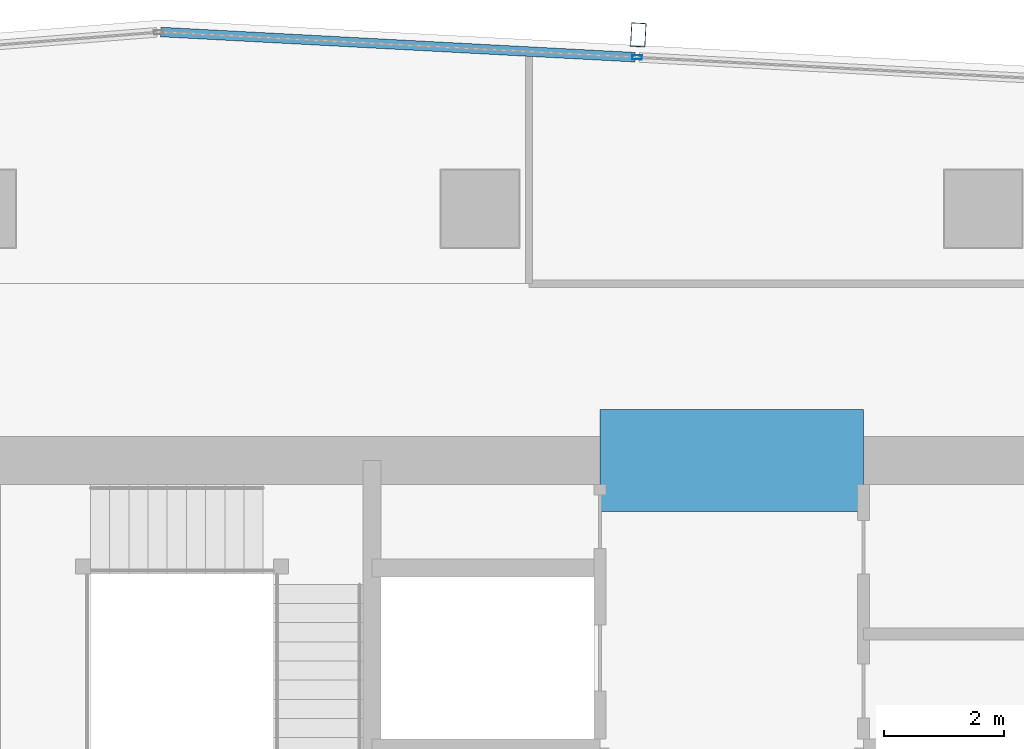
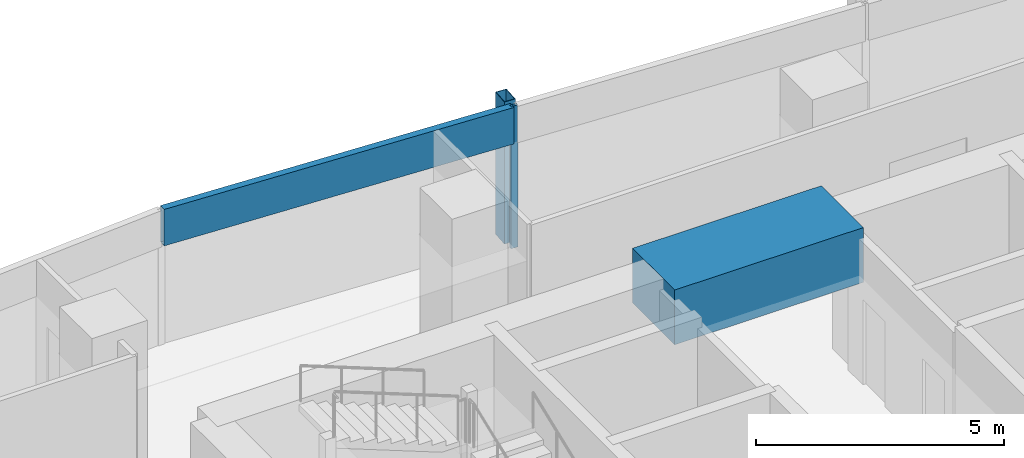
# One storey, part 17 of 29: 3 members, 1 beam, 1 element without a shape of its own.
"""IFC4 building model written with IfcOpenShell, lengths in metres."""

from ifc_helpers import new_model, si_unit, direction, frame, origin, origin_2d, place, context, subcontext, project, spatial, rectangle, hollow_rectangle, extrude, material, material_profile, profile_set, type_object, element, aggregate, save


model = new_model("IFC4")

# Units and contexts
model_context = context("Model", 3, precision=1e-05, world=origin(), true_north=direction((0.0, 1.0)))
body_context = subcontext(model_context, "Body", "Model", "MODEL_VIEW")
ifc_project = project(units=[si_unit("LENGTHUNIT", "METRE"), si_unit("AREAUNIT", "SQUARE_METRE"), si_unit("VOLUMEUNIT", "CUBIC_METRE"), si_unit("PLANEANGLEUNIT", "RADIAN"), si_unit("MASSUNIT", "GRAM", prefix="KILO")], contexts=[model_context])

# Site, building, storey
site_placement = place(None, origin())
site = spatial("IfcSite", under=ifc_project, at=site_placement, CompositionType="ELEMENT")
building_placement = place(site_placement, origin())
building = spatial("IfcBuilding", under=site, at=building_placement, Name="Rekha Terrace Tower", CompositionType="ELEMENT")
storey_placement = place(building_placement, frame((0.0, 0.0, 280.10009765625)))
storey = spatial("IfcBuildingStorey", under=building, at=storey_placement, Name="L71", CompositionType="ELEMENT", Elevation=280.10009765625)

# Curtain wall, members
ifc_material_1 = material(Name="Aluminium framing", Category="aluminium")
curtain_wall_type = type_object("IfcCurtainWallType", Name="CW3 north unitised glazing", PredefinedType="USERDEFINED", material=ifc_material_1)
curtain_wall_placement = place(storey_placement, origin())
curtain_wall = element("IfcCurtainWall", 1, at=curtain_wall_placement, inside=storey, type_object=curtain_wall_type, Name="CW3 unitised curtain wall", ObjectType="UNITISED CURTAIN WALL", PredefinedType="USERDEFINED")
ifc_material_2 = material(Name="Steel S355 with fluorocarbon finish", Category="steel")
ifc_material_profile_1 = material_profile(ifc_material_2, hollow_rectangle(XDim=0.25, YDim=0.39990234375, WallThickness=0.012451171875, at=origin_2d()), Name="RHS400x250x12.5")
ifc_profile_set_1 = profile_set([ifc_material_profile_1], Name="Steel S355 with fluorocarbon finish")
member_type_1 = type_object("IfcMemberType", Name="BL1 facade blade RHS 400 x 250", PredefinedType="USERDEFINED", material=ifc_profile_set_1)
member_1_placement = place(storey_placement, frame((36.24267578125, 53.301513671875, 0.0), z_axis=(0.0, 0.0, 1.0), x_axis=(-0.998590068481, 0.053083661621, 0.0)))
member_1 = element("IfcMember", 2, at=member_1_placement, type_object=member_type_1, Name="Facade blade", ObjectType="FACADE BLADE", PredefinedType="USERDEFINED", context=body_context, shape_type="SweptSolid", body=[
    extrude(hollow_rectangle(XDim=0.25, YDim=0.39990234375, WallThickness=0.012451171875, at=origin_2d()), origin(), (0.0, 0.0, 1.0), 3.5),
])
ifc_material_3 = material(Name="Aluminium mullion section", Category="aluminium")
ifc_material_profile_2 = material_profile(ifc_material_3, hollow_rectangle(XDim=0.070068359375, YDim=0.159912109375, WallThickness=0.00390625, at=origin_2d()), Name="AL RHS 70x160")
ifc_profile_set_2 = profile_set([ifc_material_profile_2], Name="Aluminium mullion section")
member_type_2 = type_object("IfcMemberType", Name="CW3 mullion RHS 70 x 160", PredefinedType="MULLION", material=ifc_profile_set_2)
member_2_placement = place(storey_placement, frame((36.22265625, 52.927001953125, 0.0), z_axis=(0.0, 0.0, 1.0), x_axis=(-0.053083275524, -0.998590089005, 0.0)))
member_2 = element("IfcMember", 3, at=member_2_placement, type_object=member_type_2, Name="CW3 mullion 4", PredefinedType="MULLION", context=body_context, shape_type="SweptSolid", body=[
    extrude(hollow_rectangle(XDim=0.070068359375, YDim=0.159912109375, WallThickness=0.00390625, at=origin_2d()), origin(), (0.0, 0.0, 1.0), 3.5),
])
ifc_material_4 = material(Name="Insulated aluminium spandrel box", Category="aluminium")
ifc_material_profile_3 = material_profile(ifc_material_4, hollow_rectangle(XDim=0.159912109375, YDim=0.89990234375, WallThickness=0.0029296875, at=origin_2d()), Name="AL SPANDREL BOX 160x900")
ifc_profile_set_3 = profile_set([ifc_material_profile_3], Name="Insulated aluminium spandrel box")
member_type_3 = type_object("IfcMemberType", Name="CW3 spandrel transom 160 x 900", PredefinedType="USERDEFINED", material=ifc_profile_set_3)
member_3_placement = place(storey_placement, frame((36.187744140625, 52.9287109375, 3.0498046875), z_axis=(-0.998589092231, 0.053102023288, 0.0), x_axis=(-0.053102023288, -0.998589092231, 0.0)))
member_3 = element("IfcMember", 4, at=member_3_placement, type_object=member_type_3, Name="CW3 spandrel transom 4", ObjectType="TRANSOM", PredefinedType="USERDEFINED", context=body_context, shape_type="SweptSolid", body=[
    extrude(hollow_rectangle(XDim=0.159912109375, YDim=0.89990234375, WallThickness=0.0029296875, at=origin_2d()), origin(), (0.0, 0.0, 1.0), 7.92626953125),
])
aggregate(curtain_wall, [member_2, member_3, member_1])

# Beam
ifc_material_5 = material(Name="Concrete M60", Category="concrete")
ifc_material_profile_4 = material_profile(ifc_material_5, rectangle(XDim=1.699951171875, YDim=1.35009765625, at=origin_2d()), Name="RC 1700x1350")
ifc_profile_set_4 = profile_set([ifc_material_profile_4], Name="Concrete M60")
beam_type = type_object("IfcBeamType", Name="LB5A 1700x1350 diagonally reinforced coupling beam", PredefinedType="LINTEL", material=ifc_profile_set_4)
beam_placement = place(storey_placement, frame((35.60009765625, 46.199951171875, 3.074951171875), z_axis=(1.0, 0.0, 0.0), x_axis=(0.0, 1.0, 0.0)))
element("IfcBeam", 5, at=beam_placement, inside=storey, type_object=beam_type, Name="Coupling beam LB5A N L71", PredefinedType="LINTEL", context=body_context, shape_type="SweptSolid", body=[
    extrude(rectangle(XDim=1.699951171875, YDim=1.35009765625, at=origin_2d()), origin(), (0.0, 0.0, 1.0), 4.39990234375),
])

save(model, "model.ifc")
